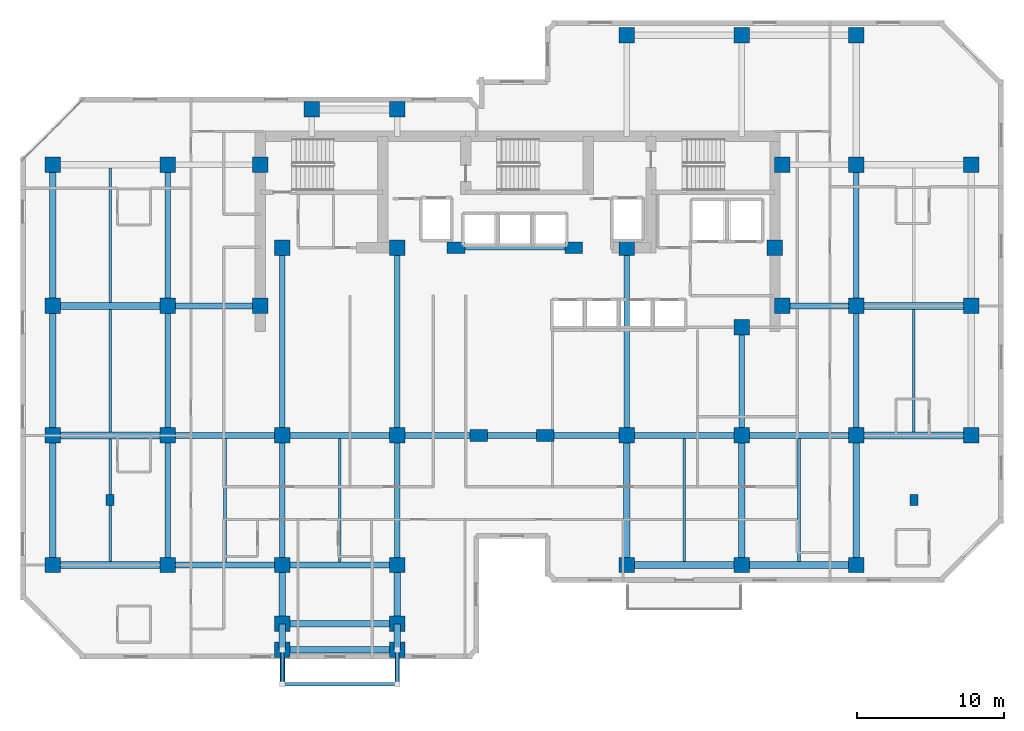
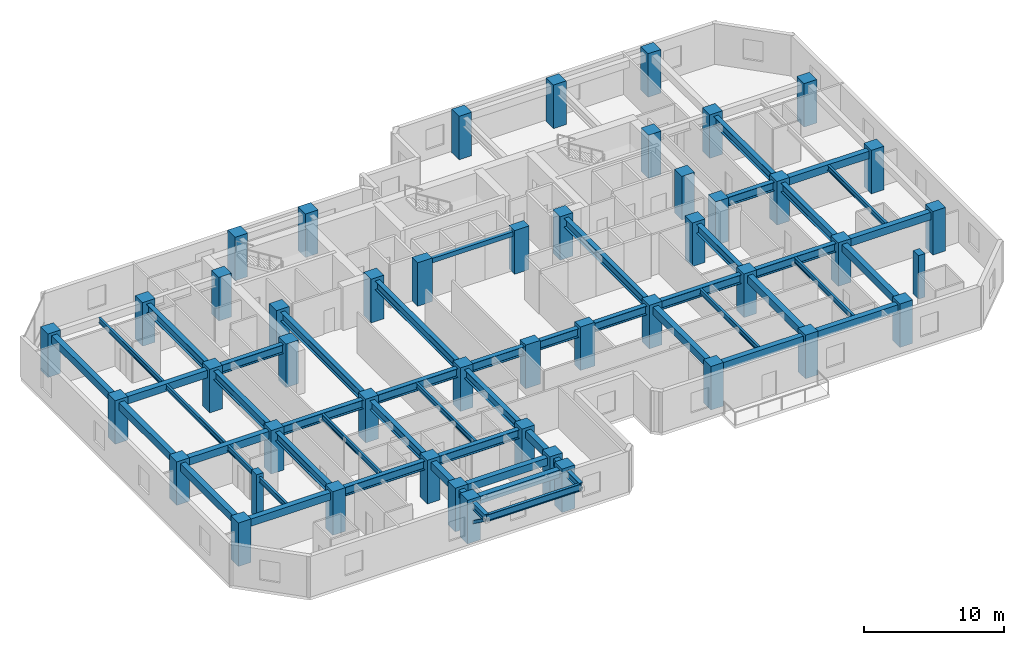
# One storey, part 1 of 11: 53 beams, 47 columns, 2 members.
"""IFC4 building model written with IfcOpenShell, lengths in metres."""

from ifc_helpers import new_model, si_unit, direction, frame, origin, origin_2d, place, context, subcontext, project, spatial, rectangle, hollow_rectangle, i_section, extrude, material, material_profile, profile_set, type_object, element, save


model = new_model("IFC4")

# Units and contexts
model_context = context("Model", 3, precision=1e-05, world=origin(), true_north=direction((0.0, 1.0)))
body_context = subcontext(model_context, "Body", "Model", "MODEL_VIEW")
ifc_project = project(units=[si_unit("LENGTHUNIT", "METRE"), si_unit("AREAUNIT", "SQUARE_METRE"), si_unit("VOLUMEUNIT", "CUBIC_METRE"), si_unit("PLANEANGLEUNIT", "RADIAN"), si_unit("MASSUNIT", "GRAM", prefix="KILO")], contexts=[model_context])

# Site, building, storey
site_placement = place(None, origin())
site = spatial("IfcSite", under=ifc_project, at=site_placement, CompositionType="ELEMENT")
building_placement = place(site_placement, origin())
building = spatial("IfcBuilding", under=site, at=building_placement, Name="Kestravale Grand Hotel", CompositionType="ELEMENT")
storey_placement = place(building_placement, frame((0.0, 0.0, 161.199951171875)))
storey = spatial("IfcBuildingStorey", under=building, at=storey_placement, Name="L40", CompositionType="ELEMENT", Elevation=161.199951171875)

# Columns
ifc_material_1 = material(Name="Concrete f'c 60 MPa", Category="concrete")
ifc_material_profile_1 = material_profile(ifc_material_1, rectangle(XDim=1.050048828125, YDim=1.050048828125, at=origin_2d()))
ifc_profile_set_1 = profile_set([ifc_material_profile_1], Name="Concrete f'c 60 MPa")
column_type_1 = type_object("IfcColumnType", Name="C-Z3-1050", PredefinedType="COLUMN", material=ifc_profile_set_1)
for number, where, z_axis, x_axis, name in (
    (1, (7.800048828125, 11.199951171875, 0.0), (0.0, 0.0, 1.0), (1.0, 0.0, 0.0), "L40 column 2-C"),
    (2, (7.800048828125, 20.0, 0.0), (0.0, 0.0, 1.0), (1.0, 0.0, 0.0), "L40 column 2-D"),
    (3, (7.800048828125, 28.800048828125, 0.0), (0.0, 0.0, 1.0), (1.0, 0.0, 0.0), "L40 column 2-E"),
    (4, (7.800048828125, 38.39990234375, 0.0), (0.0, 0.0, 1.0), (1.0, 0.0, 0.0), "L40 column 2-F"),
    (5, (15.60009765625, 11.199951171875, 0.0), (0.0, 0.0, 1.0), (1.0, 0.0, 0.0), "L40 column 3-C"),
    (6, (15.60009765625, 20.0, 0.0), (0.0, 0.0, 1.0), (1.0, 0.0, 0.0), "L40 column 3-D"),
    (7, (15.60009765625, 28.800048828125, 0.0), (0.0, 0.0, 1.0), (1.0, 0.0, 0.0), "L40 column 3-E"),
    (8, (15.60009765625, 38.39990234375, 0.0), (0.0, 0.0, 1.0), (1.0, 0.0, 0.0), "L40 column 3-F"),
    (9, (23.39990234375, 11.199951171875, 0.0), (0.0, 0.0, 1.0), (1.0, 0.0, 0.0), "L40 column 4-C"),
    (10, (23.39990234375, 20.0, 0.0), (0.0, 0.0, 1.0), (1.0, 0.0, 0.0), "L40 column 4-D"),
    (11, (31.199951171875, 11.199951171875, 0.0), (0.0, 0.0, 1.0), (1.0, 0.0, 0.0), "L40 column 5-C"),
    (12, (31.199951171875, 20.0, 0.0), (0.0, 0.0, 1.0), (1.0, 0.0, 0.0), "L40 column 5-D"),
    (13, (46.800048828125, 11.199951171875, 0.0), (0.0, 0.0, 1.0), (1.0, 0.0, 0.0), "L40 column 8-C"),
    (14, (46.800048828125, 20.0, 0.0), (0.0, 0.0, 1.0), (1.0, 0.0, 0.0), "L40 column 8-D"),
    (15, (46.800048828125, 47.199951171875, 0.0), (0.0, 0.0, 1.0), (1.0, 0.0, 0.0), "L40 column 8-G"),
    (16, (54.60009765625, 11.199951171875, 0.0), (0.0, 0.0, 1.0), (1.0, 0.0, 0.0), "L40 column 9-C"),
    (17, (54.60009765625, 20.0, 0.0), (0.0, 0.0, 1.0), (1.0, 0.0, 0.0), "L40 column 9-D"),
    (18, (54.60009765625, 47.199951171875, 0.0), (0.0, 0.0, 1.0), (1.0, 0.0, 0.0), "L40 column 9-G"),
    (19, (62.39990234375, 11.199951171875, 0.0), (0.0, 0.0, 1.0), (1.0, 0.0, 0.0), "L40 column 10-C"),
    (20, (62.39990234375, 20.0, 0.0), (0.0, 0.0, 1.0), (1.0, 0.0, 0.0), "L40 column 10-D"),
    (21, (62.39990234375, 28.800048828125, 0.0), (0.0, 0.0, 1.0), (1.0, 0.0, 0.0), "L40 column 10-E"),
    (22, (62.39990234375, 38.39990234375, 0.0), (0.0, 0.0, 1.0), (1.0, 0.0, 0.0), "L40 column 10-F"),
    (23, (62.39990234375, 47.199951171875, 0.0), (0.0, 0.0, 1.0), (1.0, 0.0, 0.0), "L40 column 10-G"),
    (24, (70.199951171875, 20.0, 0.0), (0.0, 0.0, 1.0), (1.0, 0.0, 0.0), "L40 column 11-D"),
    (25, (70.199951171875, 28.800048828125, 0.0), (0.0, 0.0, 1.0), (1.0, 0.0, 0.0), "L40 column 11-E"),
    (26, (70.199951171875, 38.39990234375, 0.0), (0.0, 0.0, 1.0), (1.0, 0.0, 0.0), "L40 column 11-F"),
    (27, (21.89990234375, 28.800048828125, 0.0), (0.0, 0.0, 1.0), (1.0, 0.0, 0.0), "L40 column CW-E"),
    (28, (21.89990234375, 38.39990234375, 0.0), (0.0, 0.0, 1.0), (1.0, 0.0, 0.0), "L40 column CW-F"),
    (29, (57.35009765625, 28.800048828125, 0.0), (0.0, 0.0, 1.0), (1.0, 0.0, 0.0), "L40 column CE-E"),
    (30, (57.35009765625, 38.39990234375, 0.0), (0.0, 0.0, 1.0), (1.0, 0.0, 0.0), "L40 column CE-F"),
    (31, (23.39990234375, 32.75, 0.0), (0.0, 0.0, 1.0), (1.0, 0.0, 0.0), "L40 column 4-CS"),
    (32, (31.199951171875, 32.75, 0.0), (0.0, 0.0, 1.0), (1.0, 0.0, 0.0), "L40 column 5-CS"),
    (33, (46.800048828125, 32.75, 0.0), (0.0, 0.0, 1.0), (1.0, 0.0, 0.0), "L40 column 8-CS"),
    (34, (54.60009765625, 27.35009765625, 0.0), (0.0, 0.0, 1.0), (1.0, 0.0, 0.0), "L40 column 9-CS"),
    (35, (56.85009765625, 32.75, 0.0), (0.0, 0.0, 1.0), (1.0, 0.0, 0.0), "L40 column 9C-CS"),
    (36, (23.39990234375, 7.199951171875, 0.0), (0.0, 0.0, 1.0), (1.0, 0.0, 0.0), "L40 column 4-BS"),
    (37, (31.199951171875, 7.199951171875, 0.0), (0.0, 0.0, 1.0), (1.0, 0.0, 0.0), "L40 column 5-BS"),
    (38, (25.39990234375, 42.14990234375, 0.0), (0.0, 0.0, 1.0), (1.0, 0.0, 0.0), "L40 column 4-FN"),
    (39, (31.199951171875, 42.14990234375, 0.0), (0.0, 0.0, 1.0), (1.0, 0.0, 0.0), "L40 column 5-FN"),
    (40, (23.39990234375, 5.449951171875, 0.0), (0.0, 0.0, 1.0), (1.0, 0.0, 0.0), "L40 column 4-B1S"),
    (41, (31.199951171875, 5.449951171875, 0.0), (0.0, 0.0, 1.0), (1.0, 0.0, 0.0), "L40 column 5-B1S"),
):
    element("IfcColumn", number, at=place(storey_placement, frame(where, z_axis=z_axis, x_axis=x_axis)), inside=storey, type_object=column_type_1, Name=name, PredefinedType="COLUMN", context=body_context, shape_type="SweptSolid", body=[
        extrude(rectangle(XDim=1.050048828125, YDim=1.050048828125, at=origin_2d()), origin(), (0.0, 0.0, 1.0), 3.800048828125),
    ])
ifc_material_2 = material(Name="Concrete f'c 60 MPa", Category="concrete")
ifc_material_profile_2 = material_profile(ifc_material_2, rectangle(XDim=1.199951171875, YDim=0.800048828125, at=origin_2d()))
ifc_profile_set_2 = profile_set([ifc_material_profile_2], Name="Concrete f'c 60 MPa")
column_type_2 = type_object("IfcColumnType", Name="C-Z3-1200X800", PredefinedType="COLUMN", material=ifc_profile_set_2)
for number, where, z_axis, x_axis, name in (
    (42, (36.75, 20.0, 0.0), (0.0, 0.0, 1.0), (1.0, 0.0, 0.0), "L40 column 6-D"),
    (43, (41.25, 20.0, 0.0), (0.0, 0.0, 1.0), (1.0, 0.0, 0.0), "L40 column 7-D"),
    (44, (35.199951171875, 32.75, 0.0), (0.0, 0.0, 1.0), (1.0, 0.0, 0.0), "L40 column 6C-CS"),
    (45, (43.199951171875, 32.75, 0.0), (0.0, 0.0, 1.0), (1.0, 0.0, 0.0), "L40 column 7C-CS"),
):
    element("IfcColumn", number, at=place(storey_placement, frame(where, z_axis=z_axis, x_axis=x_axis)), inside=storey, type_object=column_type_2, Name=name, PredefinedType="COLUMN", context=body_context, shape_type="SweptSolid", body=[
        extrude(rectangle(XDim=1.199951171875, YDim=0.800048828125, at=origin_2d()), origin(), (0.0, 0.0, 1.0), 3.800048828125),
    ])
ifc_material_3 = material(Name="Precast concrete f'c 45 MPa", Category="concrete")
ifc_material_profile_3 = material_profile(ifc_material_3, rectangle(XDim=0.550048828125, YDim=0.75, at=origin_2d()))
ifc_profile_set_3 = profile_set([ifc_material_profile_3], Name="Precast concrete f'c 45 MPa")
column_type_3 = type_object("IfcColumnType", Name="C-Z3-PIL750", PredefinedType="PILASTER", material=ifc_profile_set_3)
for number, where, z_axis, x_axis, name in (
    (46, (11.699951171875, 15.60009765625, 0.0), (0.0, 0.0, 1.0), (1.0, 0.0, 0.0), "L40 Art Deco fluted pilaster P1"),
    (47, (66.300048828125, 15.60009765625, 0.0), (0.0, 0.0, 1.0), (1.0, 0.0, 0.0), "L40 Art Deco fluted pilaster P2"),
):
    element("IfcColumn", number, at=place(storey_placement, frame(where, z_axis=z_axis, x_axis=x_axis)), inside=storey, type_object=column_type_3, Name=name, PredefinedType="PILASTER", context=body_context, shape_type="SweptSolid", body=[
        extrude(rectangle(XDim=0.550048828125, YDim=0.75, at=origin_2d()), origin(), (0.0, 0.0, 1.0), 3.800048828125),
    ])

# Beams
ifc_material_4 = material(Name="Steel ASTM A992 Grade 50", Category="steel")
ifc_material_profile_4 = material_profile(ifc_material_4, i_section(OverallWidth=0.19091796875, OverallDepth=0.45703125, WebThickness=0.009033203125, FlangeThickness=0.014404296875, FilletRadius=0.015380859375, at=origin_2d()))
ifc_profile_set_4 = profile_set([ifc_material_profile_4], Name="Steel ASTM A992 Grade 50")
beam_type_1 = type_object("IfcBeamType", Name="B-FLR-JST18", PredefinedType="JOIST", material=ifc_profile_set_4)
for number, where, z_axis, x_axis, name in (
    (48, (11.699951171875, 11.425048828125, 3.321533203125), (0.0, 1.0, 0.0), (-1.0, 0.0, 0.0), "L40 floor joist 2-3/C-D #1"),
    (49, (11.699951171875, 20.22509765625, 3.321533203125), (0.0, 1.0, 0.0), (-1.0, 0.0, 0.0), "L40 floor joist 2-3/D-E #1"),
):
    element("IfcBeam", number, at=place(storey_placement, frame(where, z_axis=z_axis, x_axis=x_axis)), inside=storey, type_object=beam_type_1, Name=name, PredefinedType="JOIST", context=body_context, shape_type="SweptSolid", body=[
        extrude(i_section(OverallWidth=0.19091796875, OverallDepth=0.45703125, WebThickness=0.009033203125, FlangeThickness=0.014404296875, FilletRadius=0.015380859375, at=origin_2d()), origin(), (0.0, 0.0, 1.0), 8.349853515625),
    ])
beam_1_placement = place(storey_placement, frame((11.699951171875, 29.02490234375, 3.321533203125), z_axis=(0.0, 1.0, 0.0), x_axis=(-1.0, 0.0, 0.0)))
element("IfcBeam", 50, at=beam_1_placement, inside=storey, type_object=beam_type_1, Name="L40 floor joist 2-3/E-F #1", PredefinedType="JOIST", context=body_context, shape_type="SweptSolid", body=[
    extrude(i_section(OverallWidth=0.19091796875, OverallDepth=0.45703125, WebThickness=0.009033203125, FlangeThickness=0.014404296875, FilletRadius=0.015380859375, at=origin_2d()), origin(), (0.0, 0.0, 1.0), 9.150146484375),
])
for number, where, z_axis, x_axis, name in (
    (51, (19.5, 11.390380859375, 3.321533203125), (0.0, 1.0, 0.0), (-1.0, 0.0, 0.0), "L40 floor joist 3-4/C-D #1"),
    (52, (27.300048828125, 11.390380859375, 3.321533203125), (0.0, 1.0, 0.0), (-1.0, 0.0, 0.0), "L40 floor joist 4-5/C-D #1"),
):
    element("IfcBeam", number, at=place(storey_placement, frame(where, z_axis=z_axis, x_axis=x_axis)), inside=storey, type_object=beam_type_1, Name=name, PredefinedType="JOIST", context=body_context, shape_type="SweptSolid", body=[
        extrude(i_section(OverallWidth=0.19091796875, OverallDepth=0.45703125, WebThickness=0.009033203125, FlangeThickness=0.014404296875, FilletRadius=0.015380859375, at=origin_2d()), origin(), (0.0, 0.0, 1.0), 8.419189453125),
    ])
for number, where, z_axis, x_axis, name in (
    (53, (50.699951171875, 11.425048828125, 3.321533203125), (0.0, 1.0, 0.0), (-1.0, 0.0, 0.0), "L40 floor joist 8-9/C-D #1"),
    (54, (58.5, 11.425048828125, 3.321533203125), (0.0, 1.0, 0.0), (-1.0, 0.0, 0.0), "L40 floor joist 9-10/C-D #1"),
):
    element("IfcBeam", number, at=place(storey_placement, frame(where, z_axis=z_axis, x_axis=x_axis)), inside=storey, type_object=beam_type_1, Name=name, PredefinedType="JOIST", context=body_context, shape_type="SweptSolid", body=[
        extrude(i_section(OverallWidth=0.19091796875, OverallDepth=0.45703125, WebThickness=0.009033203125, FlangeThickness=0.014404296875, FilletRadius=0.015380859375, at=origin_2d()), origin(), (0.0, 0.0, 1.0), 8.384521484375),
    ])
beam_2_placement = place(storey_placement, frame((66.300048828125, 20.22509765625, 3.321533203125), z_axis=(0.0, 1.0, 0.0), x_axis=(-1.0, 0.0, 0.0)))
element("IfcBeam", 55, at=beam_2_placement, inside=storey, type_object=beam_type_1, Name="L40 floor joist 10-11/D-E #1", PredefinedType="JOIST", context=body_context, shape_type="SweptSolid", body=[
    extrude(i_section(OverallWidth=0.19091796875, OverallDepth=0.45703125, WebThickness=0.009033203125, FlangeThickness=0.014404296875, FilletRadius=0.015380859375, at=origin_2d()), origin(), (0.0, 0.0, 1.0), 8.349853515625),
])
ifc_material_5 = material(Name="Concrete f'c 45 MPa", Category="concrete")
ifc_material_profile_5 = material_profile(ifc_material_5, rectangle(XDim=0.300048828125, YDim=0.39990234375, at=origin_2d()))
ifc_profile_set_5 = profile_set([ifc_material_profile_5], Name="Concrete f'c 45 MPa")
beam_type_2 = type_object("IfcBeamType", Name="B-FLR-LNT400", PredefinedType="LINTEL", material=ifc_profile_set_5)
beam_3_placement = place(storey_placement, frame((35.199951171875, 32.75, 3.35009765625), z_axis=(1.0, 0.0, 0.0), x_axis=(0.0, 1.0, 0.0)))
element("IfcBeam", 56, at=beam_3_placement, inside=storey, type_object=beam_type_2, Name="L40 core portal header lintel", PredefinedType="LINTEL", context=body_context, shape_type="SweptSolid", body=[
    extrude(rectangle(XDim=0.300048828125, YDim=0.39990234375, at=origin_2d()), origin(), (0.0, 0.0, 1.0), 8.0),
])
ifc_material_6 = material(Name="Concrete f'c 45 MPa", Category="concrete")
ifc_material_profile_6 = material_profile(ifc_material_6, rectangle(XDim=0.449951171875, YDim=0.64990234375, at=origin_2d()))
ifc_profile_set_6 = profile_set([ifc_material_profile_6], Name="Concrete f'c 45 MPa")
beam_type_3 = type_object("IfcBeamType", Name="B-FLR-RC650", PredefinedType="SPANDREL", material=ifc_profile_set_6)
for number, where, z_axis, x_axis, name in (
    (57, (7.800048828125, 11.199951171875, 3.22509765625), (1.0, 0.0, 0.0), (0.0, 1.0, 0.0), "L40 spandrel C:2-3"),
    (58, (46.800048828125, 11.199951171875, 3.22509765625), (1.0, 0.0, 0.0), (0.0, 1.0, 0.0), "L40 spandrel C:8-9"),
):
    element("IfcBeam", number, at=place(storey_placement, frame(where, z_axis=z_axis, x_axis=x_axis)), inside=storey, type_object=beam_type_3, Name=name, PredefinedType="SPANDREL", context=body_context, shape_type="SweptSolid", body=[
        extrude(rectangle(XDim=0.449951171875, YDim=0.64990234375, at=origin_2d()), origin(), (0.0, 0.0, 1.0), 7.800048828125),
    ])
beam_4_placement = place(storey_placement, frame((54.60009765625, 11.199951171875, 3.22509765625), z_axis=(1.0, 0.0, 0.0), x_axis=(0.0, 1.0, 0.0)))
element("IfcBeam", 59, at=beam_4_placement, inside=storey, type_object=beam_type_3, Name="L40 spandrel C:9-10", PredefinedType="SPANDREL", context=body_context, shape_type="SweptSolid", body=[
    extrude(rectangle(XDim=0.449951171875, YDim=0.64990234375, at=origin_2d()), origin(), (0.0, 0.0, 1.0), 7.7998046875),
])
for number, where, z_axis, x_axis, name in (
    (60, (7.800048828125, 20.0, 3.22509765625), (1.0, 0.0, 0.0), (0.0, 1.0, 0.0), "L40 spandrel D:2-3"),
    (61, (62.39990234375, 20.0, 3.22509765625), (1.0, 0.0, 0.0), (0.0, 1.0, 0.0), "L40 spandrel D:10-11"),
    (62, (7.800048828125, 28.800048828125, 3.22509765625), (1.0, 0.0, 0.0), (0.0, 1.0, 0.0), "L40 spandrel E:2-3"),
    (63, (62.39990234375, 28.800048828125, 3.22509765625), (1.0, 0.0, 0.0), (0.0, 1.0, 0.0), "L40 spandrel E:10-11"),
    (64, (23.39990234375, 5.449951171875, 3.22509765625), (1.0, 0.0, 0.0), (0.0, 1.0, 0.0), "L40 perimeter tie spandrel B1S:4-5"),
    (65, (23.39990234375, 7.199951171875, 3.22509765625), (1.0, 0.0, 0.0), (0.0, 1.0, 0.0), "L40 perimeter tie spandrel BS:4-5"),
):
    element("IfcBeam", number, at=place(storey_placement, frame(where, z_axis=z_axis, x_axis=x_axis)), inside=storey, type_object=beam_type_3, Name=name, PredefinedType="SPANDREL", context=body_context, shape_type="SweptSolid", body=[
        extrude(rectangle(XDim=0.449951171875, YDim=0.64990234375, at=origin_2d()), origin(), (0.0, 0.0, 1.0), 7.800048828125),
    ])
for number, where, z_axis, x_axis, name in (
    (66, (7.800048828125, 11.199951171875, 3.22509765625), (0.0, 1.0, 0.0), (-1.0, 0.0, 0.0), "L40 spandrel 2:C-D"),
    (67, (7.800048828125, 20.0, 3.22509765625), (0.0, 1.0, 0.0), (-1.0, 0.0, 0.0), "L40 spandrel 2:D-E"),
):
    element("IfcBeam", number, at=place(storey_placement, frame(where, z_axis=z_axis, x_axis=x_axis)), inside=storey, type_object=beam_type_3, Name=name, PredefinedType="SPANDREL", context=body_context, shape_type="SweptSolid", body=[
        extrude(rectangle(XDim=0.449951171875, YDim=0.64990234375, at=origin_2d()), origin(), (0.0, 0.0, 1.0), 8.800048828125),
    ])
beam_5_placement = place(storey_placement, frame((7.800048828125, 28.800048828125, 3.22509765625), z_axis=(0.0, 1.0, 0.0), x_axis=(-1.0, 0.0, 0.0)))
element("IfcBeam", 68, at=beam_5_placement, inside=storey, type_object=beam_type_3, Name="L40 spandrel 2:E-F", PredefinedType="SPANDREL", context=body_context, shape_type="SweptSolid", body=[
    extrude(rectangle(XDim=0.449951171875, YDim=0.64990234375, at=origin_2d()), origin(), (0.0, 0.0, 1.0), 9.599853515625),
])
beam_6_placement = place(storey_placement, frame((23.39990234375, 5.449951171875, 3.22509765625), z_axis=(0.0, 1.0, 0.0), x_axis=(-1.0, 0.0, 0.0)))
element("IfcBeam", 69, at=beam_6_placement, inside=storey, type_object=beam_type_3, Name="L40 spandrel 4:B1S-BS", PredefinedType="SPANDREL", context=body_context, shape_type="SweptSolid", body=[
    extrude(rectangle(XDim=0.449951171875, YDim=0.64990234375, at=origin_2d()), origin(), (0.0, 0.0, 1.0), 1.75),
])
beam_7_placement = place(storey_placement, frame((23.39990234375, 7.199951171875, 3.22509765625), z_axis=(0.0, 1.0, 0.0), x_axis=(-1.0, 0.0, 0.0)))
element("IfcBeam", 70, at=beam_7_placement, inside=storey, type_object=beam_type_3, Name="L40 spandrel 4:BS-C", PredefinedType="SPANDREL", context=body_context, shape_type="SweptSolid", body=[
    extrude(rectangle(XDim=0.449951171875, YDim=0.64990234375, at=origin_2d()), origin(), (0.0, 0.0, 1.0), 4.0),
])
beam_8_placement = place(storey_placement, frame((31.199951171875, 5.449951171875, 3.22509765625), z_axis=(0.0, 1.0, 0.0), x_axis=(-1.0, 0.0, 0.0)))
element("IfcBeam", 71, at=beam_8_placement, inside=storey, type_object=beam_type_3, Name="L40 spandrel 5:B1S-BS", PredefinedType="SPANDREL", context=body_context, shape_type="SweptSolid", body=[
    extrude(rectangle(XDim=0.449951171875, YDim=0.64990234375, at=origin_2d()), origin(), (0.0, 0.0, 1.0), 1.75),
])
beam_9_placement = place(storey_placement, frame((31.199951171875, 7.199951171875, 3.22509765625), z_axis=(0.0, 1.0, 0.0), x_axis=(-1.0, 0.0, 0.0)))
element("IfcBeam", 72, at=beam_9_placement, inside=storey, type_object=beam_type_3, Name="L40 spandrel 5:BS-C", PredefinedType="SPANDREL", context=body_context, shape_type="SweptSolid", body=[
    extrude(rectangle(XDim=0.449951171875, YDim=0.64990234375, at=origin_2d()), origin(), (0.0, 0.0, 1.0), 4.0),
])
for number, where, z_axis, x_axis, name in (
    (73, (46.800048828125, 11.199951171875, 3.22509765625), (0.0, 1.0, 0.0), (-1.0, 0.0, 0.0), "L40 spandrel 8:C-D"),
    (74, (54.60009765625, 11.199951171875, 3.22509765625), (0.0, 1.0, 0.0), (-1.0, 0.0, 0.0), "L40 spandrel 9:C-D"),
    (75, (62.39990234375, 11.199951171875, 3.22509765625), (0.0, 1.0, 0.0), (-1.0, 0.0, 0.0), "L40 spandrel 10:C-D"),
):
    element("IfcBeam", number, at=place(storey_placement, frame(where, z_axis=z_axis, x_axis=x_axis)), inside=storey, type_object=beam_type_3, Name=name, PredefinedType="SPANDREL", context=body_context, shape_type="SweptSolid", body=[
        extrude(rectangle(XDim=0.449951171875, YDim=0.64990234375, at=origin_2d()), origin(), (0.0, 0.0, 1.0), 8.800048828125),
    ])
ifc_material_7 = material(Name="Steel ASTM A992 Grade 50", Category="steel")
ifc_material_profile_7 = material_profile(ifc_material_7, i_section(OverallWidth=0.324951171875, OverallDepth=0.612060546875, WebThickness=0.0126953125, FlangeThickness=0.01904296875, FilletRadius=0.018798828125, at=origin_2d()))
ifc_profile_set_7 = profile_set([ifc_material_profile_7], Name="Steel ASTM A992 Grade 50")
beam_type_4 = type_object("IfcBeamType", Name="B-FLR-W24A", PredefinedType="SPANDREL", material=ifc_profile_set_7)
for number, where, z_axis, x_axis, name in (
    (76, (23.39990234375, 5.449951171875, 3.22412109375), (0.0, -1.0, 0.0), (1.0, 0.0, 0.0), "L41 terrace cantilever beam 1"),
    (77, (31.199951171875, 5.449951171875, 3.22412109375), (0.0, -1.0, 0.0), (1.0, 0.0, 0.0), "L41 terrace cantilever beam 2"),
):
    element("IfcBeam", number, at=place(storey_placement, frame(where, z_axis=z_axis, x_axis=x_axis)), inside=storey, type_object=beam_type_4, Name=name, PredefinedType="SPANDREL", context=body_context, shape_type="SweptSolid", body=[
        extrude(i_section(OverallWidth=0.324951171875, OverallDepth=0.612060546875, WebThickness=0.0126953125, FlangeThickness=0.01904296875, FilletRadius=0.018798828125, at=origin_2d()), origin(), (0.0, 0.0, 1.0), 2.349853515625),
    ])
ifc_material_8 = material(Name="Steel ASTM A992 Grade 50", Category="steel")
ifc_material_profile_8 = material_profile(ifc_material_8, i_section(OverallWidth=0.22900390625, OverallDepth=0.612060546875, WebThickness=0.011962890625, FlangeThickness=0.01953125, FilletRadius=0.019287109375, at=origin_2d()))
ifc_profile_set_8 = profile_set([ifc_material_profile_8], Name="Steel ASTM A992 Grade 50")
beam_type_5 = type_object("IfcBeamType", Name="B-FLR-W24B", PredefinedType="SPANDREL", material=ifc_profile_set_8)
beam_10_placement = place(storey_placement, frame((23.39990234375, 3.10009765625, 3.22412109375), z_axis=(1.0, 0.0, 0.0), x_axis=(0.0, 1.0, 0.0)))
element("IfcBeam", 78, at=beam_10_placement, inside=storey, type_object=beam_type_5, Name="L41 terrace edge spandrel", PredefinedType="SPANDREL", context=body_context, shape_type="SweptSolid", body=[
    extrude(i_section(OverallWidth=0.22900390625, OverallDepth=0.612060546875, WebThickness=0.011962890625, FlangeThickness=0.01953125, FilletRadius=0.019287109375, at=origin_2d()), origin(), (0.0, 0.0, 1.0), 7.800048828125),
])
ifc_material_9 = material(Name="Steel ASTM A992 Grade 50", Category="steel")
ifc_material_profile_9 = material_profile(ifc_material_9, i_section(OverallWidth=0.381103515625, OverallDepth=0.77197265625, WebThickness=0.0166015625, FlangeThickness=0.027099609375, FilletRadius=0.023681640625, at=origin_2d()))
ifc_profile_set_9 = profile_set([ifc_material_profile_9], Name="Steel ASTM A992 Grade 50")
beam_type_6 = type_object("IfcBeamType", Name="B-GRD-W30", PredefinedType="BEAM", material=ifc_profile_set_9)
beam_11_placement = place(storey_placement, frame((15.60009765625, 11.199951171875, 3.1640625), z_axis=(1.0, 0.0, 0.0), x_axis=(0.0, 1.0, 0.0)))
element("IfcBeam", 79, at=beam_11_placement, inside=storey, type_object=beam_type_6, Name="L40 girder C:3-4", PredefinedType="BEAM", context=body_context, shape_type="SweptSolid", body=[
    extrude(i_section(OverallWidth=0.381103515625, OverallDepth=0.77197265625, WebThickness=0.0166015625, FlangeThickness=0.027099609375, FilletRadius=0.023681640625, at=origin_2d()), origin(), (0.0, 0.0, 1.0), 7.7998046875),
])
beam_12_placement = place(storey_placement, frame((23.39990234375, 11.199951171875, 3.1640625), z_axis=(1.0, 0.0, 0.0), x_axis=(0.0, 1.0, 0.0)))
element("IfcBeam", 80, at=beam_12_placement, inside=storey, type_object=beam_type_6, Name="L40 girder C:4-5", PredefinedType="BEAM", context=body_context, shape_type="SweptSolid", body=[
    extrude(i_section(OverallWidth=0.381103515625, OverallDepth=0.77197265625, WebThickness=0.0166015625, FlangeThickness=0.027099609375, FilletRadius=0.023681640625, at=origin_2d()), origin(), (0.0, 0.0, 1.0), 7.800048828125),
])
beam_13_placement = place(storey_placement, frame((15.60009765625, 20.0, 3.1640625), z_axis=(1.0, 0.0, 0.0), x_axis=(0.0, 1.0, 0.0)))
element("IfcBeam", 81, at=beam_13_placement, inside=storey, type_object=beam_type_6, Name="L40 girder D:3-4", PredefinedType="BEAM", context=body_context, shape_type="SweptSolid", body=[
    extrude(i_section(OverallWidth=0.381103515625, OverallDepth=0.77197265625, WebThickness=0.0166015625, FlangeThickness=0.027099609375, FilletRadius=0.023681640625, at=origin_2d()), origin(), (0.0, 0.0, 1.0), 7.7998046875),
])
beam_14_placement = place(storey_placement, frame((23.39990234375, 20.0, 3.1640625), z_axis=(1.0, 0.0, 0.0), x_axis=(0.0, 1.0, 0.0)))
element("IfcBeam", 82, at=beam_14_placement, inside=storey, type_object=beam_type_6, Name="L40 girder D:4-5", PredefinedType="BEAM", context=body_context, shape_type="SweptSolid", body=[
    extrude(i_section(OverallWidth=0.381103515625, OverallDepth=0.77197265625, WebThickness=0.0166015625, FlangeThickness=0.027099609375, FilletRadius=0.023681640625, at=origin_2d()), origin(), (0.0, 0.0, 1.0), 7.800048828125),
])
beam_15_placement = place(storey_placement, frame((31.199951171875, 20.0, 3.1640625), z_axis=(1.0, 0.0, 0.0), x_axis=(0.0, 1.0, 0.0)))
element("IfcBeam", 83, at=beam_15_placement, inside=storey, type_object=beam_type_6, Name="L40 girder D:5-6", PredefinedType="BEAM", context=body_context, shape_type="SweptSolid", body=[
    extrude(i_section(OverallWidth=0.381103515625, OverallDepth=0.77197265625, WebThickness=0.0166015625, FlangeThickness=0.027099609375, FilletRadius=0.023681640625, at=origin_2d()), origin(), (0.0, 0.0, 1.0), 5.550048828125),
])
beam_16_placement = place(storey_placement, frame((36.75, 20.0, 3.1640625), z_axis=(1.0, 0.0, 0.0), x_axis=(0.0, 1.0, 0.0)))
element("IfcBeam", 84, at=beam_16_placement, inside=storey, type_object=beam_type_6, Name="L40 girder D:6-7", PredefinedType="BEAM", context=body_context, shape_type="SweptSolid", body=[
    extrude(i_section(OverallWidth=0.381103515625, OverallDepth=0.77197265625, WebThickness=0.0166015625, FlangeThickness=0.027099609375, FilletRadius=0.023681640625, at=origin_2d()), origin(), (0.0, 0.0, 1.0), 4.5),
])
beam_17_placement = place(storey_placement, frame((41.25, 20.0, 3.1640625), z_axis=(1.0, 0.0, 0.0), x_axis=(0.0, 1.0, 0.0)))
element("IfcBeam", 85, at=beam_17_placement, inside=storey, type_object=beam_type_6, Name="L40 girder D:7-8", PredefinedType="BEAM", context=body_context, shape_type="SweptSolid", body=[
    extrude(i_section(OverallWidth=0.381103515625, OverallDepth=0.77197265625, WebThickness=0.0166015625, FlangeThickness=0.027099609375, FilletRadius=0.023681640625, at=origin_2d()), origin(), (0.0, 0.0, 1.0), 5.550048828125),
])
beam_18_placement = place(storey_placement, frame((46.800048828125, 20.0, 3.1640625), z_axis=(1.0, 0.0, 0.0), x_axis=(0.0, 1.0, 0.0)))
element("IfcBeam", 86, at=beam_18_placement, inside=storey, type_object=beam_type_6, Name="L40 girder D:8-9", PredefinedType="BEAM", context=body_context, shape_type="SweptSolid", body=[
    extrude(i_section(OverallWidth=0.381103515625, OverallDepth=0.77197265625, WebThickness=0.0166015625, FlangeThickness=0.027099609375, FilletRadius=0.023681640625, at=origin_2d()), origin(), (0.0, 0.0, 1.0), 7.800048828125),
])
beam_19_placement = place(storey_placement, frame((54.60009765625, 20.0, 3.1640625), z_axis=(1.0, 0.0, 0.0), x_axis=(0.0, 1.0, 0.0)))
element("IfcBeam", 87, at=beam_19_placement, inside=storey, type_object=beam_type_6, Name="L40 girder D:9-10", PredefinedType="BEAM", context=body_context, shape_type="SweptSolid", body=[
    extrude(i_section(OverallWidth=0.381103515625, OverallDepth=0.77197265625, WebThickness=0.0166015625, FlangeThickness=0.027099609375, FilletRadius=0.023681640625, at=origin_2d()), origin(), (0.0, 0.0, 1.0), 7.7998046875),
])
beam_20_placement = place(storey_placement, frame((15.60009765625, 28.800048828125, 3.1640625), z_axis=(1.0, 0.0, 0.0), x_axis=(0.0, 1.0, 0.0)))
element("IfcBeam", 88, at=beam_20_placement, inside=storey, type_object=beam_type_6, Name="L40 girder E:3-CW", PredefinedType="BEAM", context=body_context, shape_type="SweptSolid", body=[
    extrude(i_section(OverallWidth=0.381103515625, OverallDepth=0.77197265625, WebThickness=0.0166015625, FlangeThickness=0.027099609375, FilletRadius=0.023681640625, at=origin_2d()), origin(), (0.0, 0.0, 1.0), 6.2998046875),
])
beam_21_placement = place(storey_placement, frame((57.35009765625, 28.800048828125, 3.1640625), z_axis=(1.0, 0.0, 0.0), x_axis=(0.0, 1.0, 0.0)))
element("IfcBeam", 89, at=beam_21_placement, inside=storey, type_object=beam_type_6, Name="L40 girder E:CE-10", PredefinedType="BEAM", context=body_context, shape_type="SweptSolid", body=[
    extrude(i_section(OverallWidth=0.381103515625, OverallDepth=0.77197265625, WebThickness=0.0166015625, FlangeThickness=0.027099609375, FilletRadius=0.023681640625, at=origin_2d()), origin(), (0.0, 0.0, 1.0), 5.0498046875),
])
for number, where, z_axis, x_axis, name in (
    (90, (15.60009765625, 11.199951171875, 3.1640625), (0.0, 1.0, 0.0), (-1.0, 0.0, 0.0), "L40 girder 3:C-D"),
    (91, (15.60009765625, 20.0, 3.1640625), (0.0, 1.0, 0.0), (-1.0, 0.0, 0.0), "L40 girder 3:D-E"),
):
    element("IfcBeam", number, at=place(storey_placement, frame(where, z_axis=z_axis, x_axis=x_axis)), inside=storey, type_object=beam_type_6, Name=name, PredefinedType="BEAM", context=body_context, shape_type="SweptSolid", body=[
        extrude(i_section(OverallWidth=0.381103515625, OverallDepth=0.77197265625, WebThickness=0.0166015625, FlangeThickness=0.027099609375, FilletRadius=0.023681640625, at=origin_2d()), origin(), (0.0, 0.0, 1.0), 8.800048828125),
    ])
beam_22_placement = place(storey_placement, frame((15.60009765625, 28.800048828125, 3.1640625), z_axis=(0.0, 1.0, 0.0), x_axis=(-1.0, 0.0, 0.0)))
element("IfcBeam", 92, at=beam_22_placement, inside=storey, type_object=beam_type_6, Name="L40 girder 3:E-F", PredefinedType="BEAM", context=body_context, shape_type="SweptSolid", body=[
    extrude(i_section(OverallWidth=0.381103515625, OverallDepth=0.77197265625, WebThickness=0.0166015625, FlangeThickness=0.027099609375, FilletRadius=0.023681640625, at=origin_2d()), origin(), (0.0, 0.0, 1.0), 9.599853515625),
])
beam_23_placement = place(storey_placement, frame((23.39990234375, 11.199951171875, 3.1640625), z_axis=(0.0, 1.0, 0.0), x_axis=(-1.0, 0.0, 0.0)))
element("IfcBeam", 93, at=beam_23_placement, inside=storey, type_object=beam_type_6, Name="L40 girder 4:C-D", PredefinedType="BEAM", context=body_context, shape_type="SweptSolid", body=[
    extrude(i_section(OverallWidth=0.381103515625, OverallDepth=0.77197265625, WebThickness=0.0166015625, FlangeThickness=0.027099609375, FilletRadius=0.023681640625, at=origin_2d()), origin(), (0.0, 0.0, 1.0), 8.800048828125),
])
beam_24_placement = place(storey_placement, frame((23.39990234375, 20.0, 3.1640625), z_axis=(0.0, 1.0, 0.0), x_axis=(-1.0, 0.0, 0.0)))
element("IfcBeam", 94, at=beam_24_placement, inside=storey, type_object=beam_type_6, Name="L40 girder 4:D-CS", PredefinedType="BEAM", context=body_context, shape_type="SweptSolid", body=[
    extrude(i_section(OverallWidth=0.381103515625, OverallDepth=0.77197265625, WebThickness=0.0166015625, FlangeThickness=0.027099609375, FilletRadius=0.023681640625, at=origin_2d()), origin(), (0.0, 0.0, 1.0), 12.75),
])
beam_25_placement = place(storey_placement, frame((31.199951171875, 11.199951171875, 3.1640625), z_axis=(0.0, 1.0, 0.0), x_axis=(-1.0, 0.0, 0.0)))
element("IfcBeam", 95, at=beam_25_placement, inside=storey, type_object=beam_type_6, Name="L40 girder 5:C-D", PredefinedType="BEAM", context=body_context, shape_type="SweptSolid", body=[
    extrude(i_section(OverallWidth=0.381103515625, OverallDepth=0.77197265625, WebThickness=0.0166015625, FlangeThickness=0.027099609375, FilletRadius=0.023681640625, at=origin_2d()), origin(), (0.0, 0.0, 1.0), 8.800048828125),
])
for number, where, z_axis, x_axis, name in (
    (96, (31.199951171875, 20.0, 3.1640625), (0.0, 1.0, 0.0), (-1.0, 0.0, 0.0), "L40 girder 5:D-CS"),
    (97, (46.800048828125, 20.0, 3.1640625), (0.0, 1.0, 0.0), (-1.0, 0.0, 0.0), "L40 girder 8:D-CS"),
):
    element("IfcBeam", number, at=place(storey_placement, frame(where, z_axis=z_axis, x_axis=x_axis)), inside=storey, type_object=beam_type_6, Name=name, PredefinedType="BEAM", context=body_context, shape_type="SweptSolid", body=[
        extrude(i_section(OverallWidth=0.381103515625, OverallDepth=0.77197265625, WebThickness=0.0166015625, FlangeThickness=0.027099609375, FilletRadius=0.023681640625, at=origin_2d()), origin(), (0.0, 0.0, 1.0), 12.75),
    ])
beam_26_placement = place(storey_placement, frame((54.60009765625, 20.0, 3.1640625), z_axis=(0.0, 1.0, 0.0), x_axis=(-1.0, 0.0, 0.0)))
element("IfcBeam", 98, at=beam_26_placement, inside=storey, type_object=beam_type_6, Name="L40 girder 9:D-CS", PredefinedType="BEAM", context=body_context, shape_type="SweptSolid", body=[
    extrude(i_section(OverallWidth=0.381103515625, OverallDepth=0.77197265625, WebThickness=0.0166015625, FlangeThickness=0.027099609375, FilletRadius=0.023681640625, at=origin_2d()), origin(), (0.0, 0.0, 1.0), 7.35009765625),
])
beam_27_placement = place(storey_placement, frame((62.39990234375, 20.0, 3.1640625), z_axis=(0.0, 1.0, 0.0), x_axis=(-1.0, 0.0, 0.0)))
element("IfcBeam", 99, at=beam_27_placement, inside=storey, type_object=beam_type_6, Name="L40 girder 10:D-E", PredefinedType="BEAM", context=body_context, shape_type="SweptSolid", body=[
    extrude(i_section(OverallWidth=0.381103515625, OverallDepth=0.77197265625, WebThickness=0.0166015625, FlangeThickness=0.027099609375, FilletRadius=0.023681640625, at=origin_2d()), origin(), (0.0, 0.0, 1.0), 8.800048828125),
])
beam_28_placement = place(storey_placement, frame((62.39990234375, 28.800048828125, 3.1640625), z_axis=(0.0, 1.0, 0.0), x_axis=(-1.0, 0.0, 0.0)))
element("IfcBeam", 100, at=beam_28_placement, inside=storey, type_object=beam_type_6, Name="L40 girder 10:E-F", PredefinedType="BEAM", context=body_context, shape_type="SweptSolid", body=[
    extrude(i_section(OverallWidth=0.381103515625, OverallDepth=0.77197265625, WebThickness=0.0166015625, FlangeThickness=0.027099609375, FilletRadius=0.023681640625, at=origin_2d()), origin(), (0.0, 0.0, 1.0), 9.599853515625),
])

# Members
ifc_material_10 = material(Name="Steel ASTM A500 Grade C", Category="steel")
ifc_material_profile_10 = material_profile(ifc_material_10, hollow_rectangle(XDim=0.25, YDim=0.25, WallThickness=0.011962890625, InnerFilletRadius=0.011962890625, OuterFilletRadius=0.02392578125, at=origin_2d()))
ifc_profile_set_10 = profile_set([ifc_material_profile_10], Name="Steel ASTM A500 Grade C")
member_type = type_object("IfcMemberType", Name="M-BLT-STR250", PredefinedType="STRUT", material=ifc_profile_set_10)
for number, where, z_axis, x_axis, name in (
    (101, (23.39990234375, 5.449951171875, 1.3740234375), (0.0, -0.810215054775, 0.586132719626), (1.0, 0.0, 0.0), "L41 terrace knee-brace strut 1"),
    (102, (31.199951171875, 5.449951171875, 1.3740234375), (0.0, -0.810215054775, 0.586132719626), (1.0, 0.0, 0.0), "L41 terrace knee-brace strut 2"),
):
    element("IfcMember", number, at=place(storey_placement, frame(where, z_axis=z_axis, x_axis=x_axis)), inside=storey, type_object=member_type, Name=name, PredefinedType="STRUT", context=body_context, shape_type="SweptSolid", body=[
        extrude(hollow_rectangle(XDim=0.25, YDim=0.25, WallThickness=0.011962890625, InnerFilletRadius=0.011962890625, OuterFilletRadius=0.02392578125, at=origin_2d()), origin(), (0.0, 0.0, 1.0), 2.900390625),
    ])

save(model, "model.ifc")
